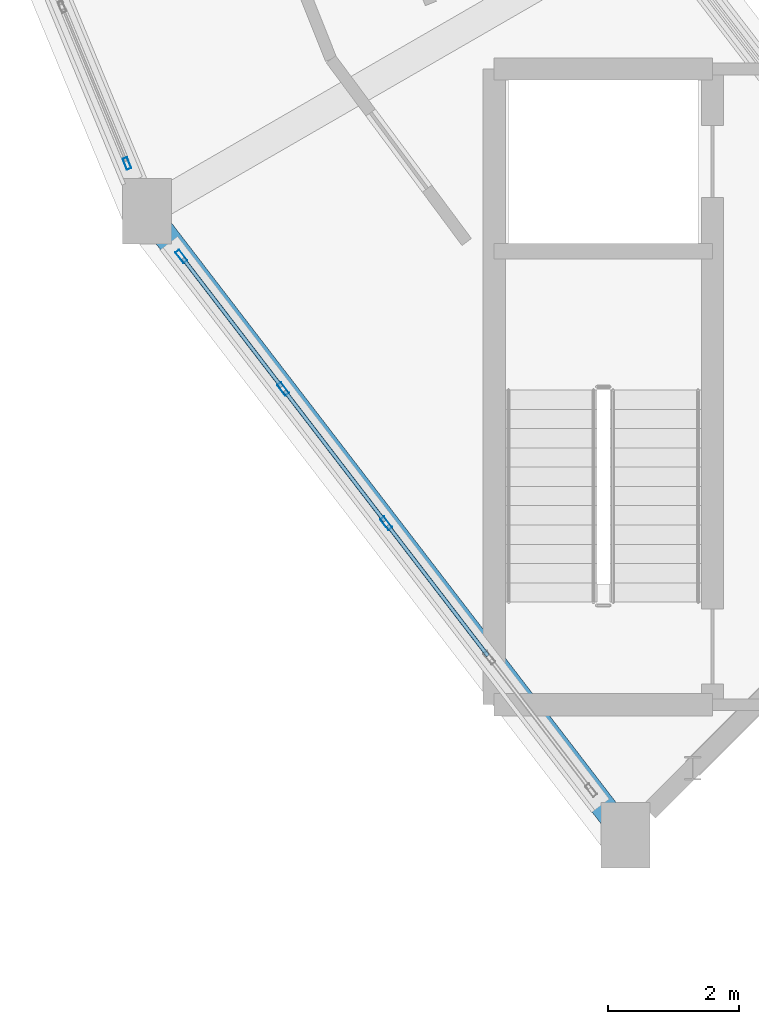
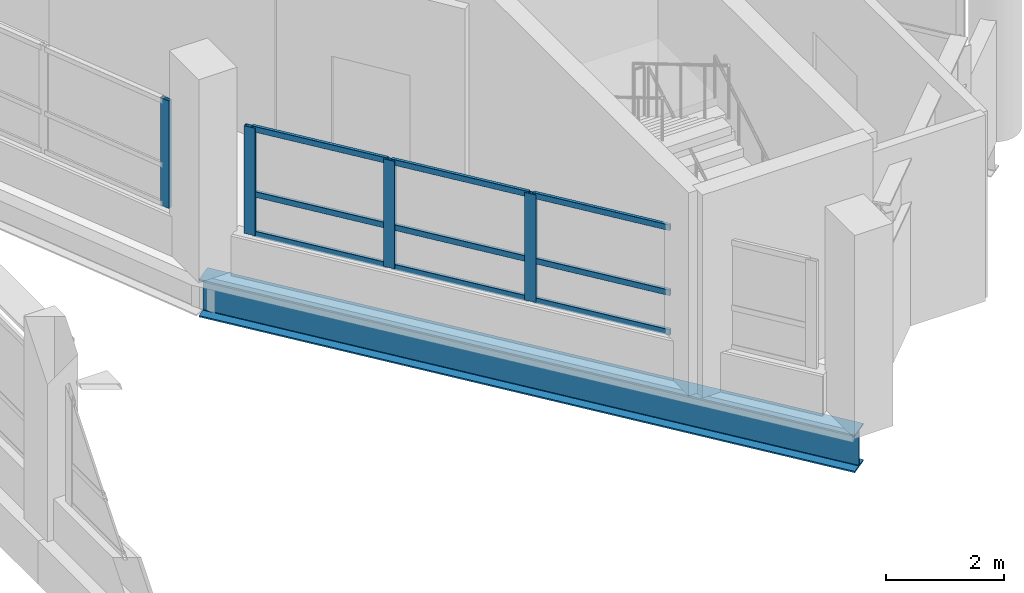
# One storey, part 30 of 128: 13 members, 1 beam, 2 elements without a shape of their own.
"""IFC4 building model written with IfcOpenShell, lengths in metres."""

from ifc_helpers import new_model, si_unit, direction, frame, origin, origin_2d, place, context, subcontext, project, spatial, hollow_rectangle, i_section, extrude, material, layer, layer_set, material_profile, profile_set, type_object, element, aggregate, save


model = new_model("IFC4")

# Units and contexts
model_context = context("Model", 3, precision=1e-05, world=origin(), true_north=direction((0.0, 1.0)))
body_context = subcontext(model_context, "Body", "Model", "MODEL_VIEW")
ifc_project = project(units=[si_unit("LENGTHUNIT", "METRE"), si_unit("AREAUNIT", "SQUARE_METRE"), si_unit("VOLUMEUNIT", "CUBIC_METRE"), si_unit("PLANEANGLEUNIT", "RADIAN"), si_unit("MASSUNIT", "GRAM", prefix="KILO")], contexts=[model_context])

# Site, building, storey
site_placement = place(None, origin())
site = spatial("IfcSite", under=ifc_project, at=site_placement, CompositionType="ELEMENT")
building_placement = place(site_placement, origin())
building = spatial("IfcBuilding", under=site, at=building_placement, Name="Vespera Passage Community Centre", CompositionType="ELEMENT")
storey_placement = place(building_placement, frame((0.0, 0.0, 4.5)))
storey = spatial("IfcBuildingStorey", under=building, at=storey_placement, Name="L01", CompositionType="ELEMENT", Elevation=4.5)

# Beam
ifc_material_1 = material(Name="Steel ASTM A992 Grade 50", Category="steel")
ifc_material_profile_1 = material_profile(ifc_material_1, i_section(OverallWidth=0.382080078125, OverallDepth=0.779296875, WebThickness=0.01806640625, FlangeThickness=0.030029296875, FilletRadius=0.0166015625, at=origin_2d()), Name="W30X191")
ifc_profile_set_1 = profile_set([ifc_material_profile_1], Name="Steel ASTM A992 Grade 50")
beam_type = type_object("IfcBeamType", Name="BM-SP-W30X191E", PredefinedType="SPANDREL", material=ifc_profile_set_1)
beam_placement = place(storey_placement, frame((38.076171875, 42.449951171875, -0.629638671875), z_axis=(0.608763261066, -0.793351934501, 0.0), x_axis=(0.793351934501, 0.608763261066, 0.0)))
element("IfcBeam", 1, at=beam_placement, inside=storey, type_object=beam_type, Name="V4 L01 Outer Spandrel 14", PredefinedType="SPANDREL", context=body_context, shape_type="SweptSolid", body=[
    extrude(i_section(OverallWidth=0.382080078125, OverallDepth=0.779296875, WebThickness=0.01806640625, FlangeThickness=0.030029296875, FilletRadius=0.0166015625, at=origin_2d()), origin(), (0.0, 0.0, 1.0), 12.034423828125),
])

# Curtain wall, member
ifc_material_2 = material(Name="Anodized aluminium 6063-T6", Category="aluminium")
ifc_layer_1 = layer(ifc_material_2, 0.159912109375)
ifc_layer_set_1 = layer_set([ifc_layer_1], Name="Anodized aluminium 6063-T6")
curtain_wall_type_1 = type_object("IfcCurtainWallType", Name="CW-20E", PredefinedType="NOTDEFINED", material=ifc_layer_set_1)
curtain_wall_1_placement = place(storey_placement, origin())
curtain_wall_1 = element("IfcCurtainWall", 2, at=curtain_wall_1_placement, inside=storey, type_object=curtain_wall_type_1, Name="V4 L01 Outer Ribbon Curtain Wall 13", PredefinedType="NOTDEFINED")
ifc_material_3 = material(Name="Anodized aluminium 6063-T6", Category="aluminium")
ifc_material_profile_2 = material_profile(ifc_material_3, hollow_rectangle(XDim=0.074951171875, YDim=0.179931640625, WallThickness=0.0048828125, InnerFilletRadius=0.00244140625, OuterFilletRadius=0.0048828125, at=origin_2d()), Name="ALU180X75X5")
ifc_profile_set_2 = profile_set([ifc_material_profile_2], Name="Anodized aluminium 6063-T6")
member_type_1 = type_object("IfcMemberType", Name="MB-CWM-180E", PredefinedType="MULLION", material=ifc_profile_set_2)
member_1_placement = place(storey_placement, frame((37.7724609375, 43.183349609375, 0.820068359375), z_axis=(0.0, 0.0, 1.0), x_axis=(-0.923881309405, -0.382679142535, 0.0)))
member_1 = element("IfcMember", 3, at=member_1_placement, type_object=member_type_1, Name="CW-20E mullion 1", PredefinedType="MULLION", context=body_context, shape_type="SweptSolid", body=[
    extrude(hollow_rectangle(XDim=0.074951171875, YDim=0.179931640625, WallThickness=0.0048828125, InnerFilletRadius=0.00244140625, OuterFilletRadius=0.0048828125, at=origin_2d()), origin(), (0.0, 0.0, 1.0), 2.2255859375),
])
aggregate(curtain_wall_1, [member_1])

# Curtain wall, members
ifc_material_4 = material(Name="Anodized aluminium 6063-T6", Category="aluminium")
ifc_layer_2 = layer(ifc_material_4, 0.159912109375)
ifc_layer_set_2 = layer_set([ifc_layer_2], Name="Anodized aluminium 6063-T6")
curtain_wall_type_2 = type_object("IfcCurtainWallType", Name="CW-23E", PredefinedType="NOTDEFINED", material=ifc_layer_set_2)
curtain_wall_2_placement = place(storey_placement, origin())
curtain_wall_2 = element("IfcCurtainWall", 4, at=curtain_wall_2_placement, inside=storey, type_object=curtain_wall_type_2, Name="V4 L01 Outer Ribbon Curtain Wall 14", PredefinedType="NOTDEFINED")
ifc_material_5 = material(Name="Anodized aluminium 6063-T6", Category="aluminium")
ifc_material_profile_3 = material_profile(ifc_material_5, hollow_rectangle(XDim=0.074951171875, YDim=0.2099609375, WallThickness=0.0048828125, InnerFilletRadius=0.00244140625, OuterFilletRadius=0.0048828125, at=origin_2d()), Name="ALU210X75X5")
ifc_profile_set_3 = profile_set([ifc_material_profile_3], Name="Anodized aluminium 6063-T6")
member_type_2 = type_object("IfcMemberType", Name="MB-CWM-210E", PredefinedType="MULLION", material=ifc_profile_set_3)
member_2_placement = place(storey_placement, frame((41.7392578125, 37.67626953125, 0.820068359375), z_axis=(0.0, 0.0, 1.0), x_axis=(-0.793350257139, -0.608765447029, 0.0)))
member_2 = element("IfcMember", 5, at=member_2_placement, type_object=member_type_2, Name="CW-23E mullion 3", PredefinedType="MULLION", context=body_context, shape_type="SweptSolid", body=[
    extrude(hollow_rectangle(XDim=0.074951171875, YDim=0.2099609375, WallThickness=0.0048828125, InnerFilletRadius=0.00244140625, OuterFilletRadius=0.0048828125, at=origin_2d()), origin(), (0.0, 0.0, 1.0), 2.2255859375),
])
member_3_placement = place(storey_placement, frame((40.16064453125, 39.7333984375, 0.820068359375), z_axis=(0.0, 0.0, 1.0), x_axis=(-0.793350257139, -0.608765447029, 0.0)))
member_3 = element("IfcMember", 6, at=member_3_placement, type_object=member_type_2, Name="CW-23E mullion 4", PredefinedType="MULLION", context=body_context, shape_type="SweptSolid", body=[
    extrude(hollow_rectangle(XDim=0.074951171875, YDim=0.2099609375, WallThickness=0.0048828125, InnerFilletRadius=0.00244140625, OuterFilletRadius=0.0048828125, at=origin_2d()), origin(), (0.0, 0.0, 1.0), 2.2255859375),
])
member_4_placement = place(storey_placement, frame((38.60498046875, 41.760986328125, 0.820068359375), z_axis=(0.0, 0.0, 1.0), x_axis=(-0.793350257139, -0.608765447029, 0.0)))
member_4 = element("IfcMember", 7, at=member_4_placement, type_object=member_type_2, Name="CW-23E mullion 5", PredefinedType="MULLION", context=body_context, shape_type="SweptSolid", body=[
    extrude(hollow_rectangle(XDim=0.074951171875, YDim=0.2099609375, WallThickness=0.0048828125, InnerFilletRadius=0.00244140625, OuterFilletRadius=0.0048828125, at=origin_2d()), origin(), (0.0, 0.0, 1.0), 2.2255859375),
])
ifc_material_6 = material(Name="Anodized aluminium 6063-T6", Category="aluminium")
ifc_material_profile_4 = material_profile(ifc_material_6, hollow_rectangle(XDim=0.06005859375, YDim=0.1201171875, WallThickness=0.00390625, InnerFilletRadius=0.001953125, OuterFilletRadius=0.00390625, at=origin_2d()), Name="ALU120X60X4")
ifc_profile_set_4 = profile_set([ifc_material_profile_4], Name="Anodized aluminium 6063-T6")
member_type_3 = type_object("IfcMemberType", Name="MB-CWT-120E", PredefinedType="USERDEFINED", material=ifc_profile_set_4)
member_5_placement = place(storey_placement, frame((43.295166015625, 35.648681640625, 0.85009765625), z_axis=(-0.608759186888, 0.793355060726, 0.0), x_axis=(-0.793355060726, -0.608759186888, 0.0)))
member_5 = element("IfcMember", 8, at=member_5_placement, type_object=member_type_3, Name="CW-23E transom 2.1", ObjectType="TRANSOM", PredefinedType="USERDEFINED", context=body_context, shape_type="SweptSolid", body=[
    extrude(hollow_rectangle(XDim=0.06005859375, YDim=0.1201171875, WallThickness=0.00390625, InnerFilletRadius=0.001953125, OuterFilletRadius=0.00390625, at=origin_2d()), origin(), (0.0, 0.0, 1.0), 2.51806640625),
])
member_6_placement = place(storey_placement, frame((43.295166015625, 35.648681640625, 1.669921875), z_axis=(-0.608759186888, 0.793355060726, 0.0), x_axis=(-0.793355060726, -0.608759186888, 0.0)))
member_6 = element("IfcMember", 9, at=member_6_placement, type_object=member_type_3, Name="CW-23E transom 2.2", ObjectType="TRANSOM", PredefinedType="USERDEFINED", context=body_context, shape_type="SweptSolid", body=[
    extrude(hollow_rectangle(XDim=0.06005859375, YDim=0.1201171875, WallThickness=0.00390625, InnerFilletRadius=0.001953125, OuterFilletRadius=0.00390625, at=origin_2d()), origin(), (0.0, 0.0, 1.0), 2.51806640625),
])
member_7_placement = place(storey_placement, frame((43.295166015625, 35.648681640625, 3.015625), z_axis=(-0.608759186888, 0.793355060726, 0.0), x_axis=(-0.793355060726, -0.608759186888, 0.0)))
member_7 = element("IfcMember", 10, at=member_7_placement, type_object=member_type_3, Name="CW-23E transom 2.3", ObjectType="TRANSOM", PredefinedType="USERDEFINED", context=body_context, shape_type="SweptSolid", body=[
    extrude(hollow_rectangle(XDim=0.06005859375, YDim=0.1201171875, WallThickness=0.00390625, InnerFilletRadius=0.001953125, OuterFilletRadius=0.00390625, at=origin_2d()), origin(), (0.0, 0.0, 1.0), 2.51806640625),
])
member_8_placement = place(storey_placement, frame((41.716552734375, 37.7060546875, 0.85009765625), z_axis=(-0.608806013392, 0.7933191275, 0.0), x_axis=(-0.7933191275, -0.608806013392, 0.0)))
member_8 = element("IfcMember", 11, at=member_8_placement, type_object=member_type_3, Name="CW-23E transom 3.1", ObjectType="TRANSOM", PredefinedType="USERDEFINED", context=body_context, shape_type="SweptSolid", body=[
    extrude(hollow_rectangle(XDim=0.06005859375, YDim=0.1201171875, WallThickness=0.00390625, InnerFilletRadius=0.001953125, OuterFilletRadius=0.00390625, at=origin_2d()), origin(), (0.0, 0.0, 1.0), 2.51806640625),
])
member_9_placement = place(storey_placement, frame((41.716552734375, 37.7060546875, 1.669921875), z_axis=(-0.608806013392, 0.7933191275, 0.0), x_axis=(-0.7933191275, -0.608806013392, 0.0)))
member_9 = element("IfcMember", 12, at=member_9_placement, type_object=member_type_3, Name="CW-23E transom 3.2", ObjectType="TRANSOM", PredefinedType="USERDEFINED", context=body_context, shape_type="SweptSolid", body=[
    extrude(hollow_rectangle(XDim=0.06005859375, YDim=0.1201171875, WallThickness=0.00390625, InnerFilletRadius=0.001953125, OuterFilletRadius=0.00390625, at=origin_2d()), origin(), (0.0, 0.0, 1.0), 2.51806640625),
])
member_10_placement = place(storey_placement, frame((41.716552734375, 37.7060546875, 3.015625), z_axis=(-0.608806013392, 0.7933191275, 0.0), x_axis=(-0.7933191275, -0.608806013392, 0.0)))
member_10 = element("IfcMember", 13, at=member_10_placement, type_object=member_type_3, Name="CW-23E transom 3.3", ObjectType="TRANSOM", PredefinedType="USERDEFINED", context=body_context, shape_type="SweptSolid", body=[
    extrude(hollow_rectangle(XDim=0.06005859375, YDim=0.1201171875, WallThickness=0.00390625, InnerFilletRadius=0.001953125, OuterFilletRadius=0.00390625, at=origin_2d()), origin(), (0.0, 0.0, 1.0), 2.51806640625),
])
member_11_placement = place(storey_placement, frame((40.137939453125, 39.76318359375, 0.85009765625), z_axis=(-0.608797179099, 0.793325907002, 0.0), x_axis=(-0.793325907002, -0.608797179099, 0.0)))
member_11 = element("IfcMember", 14, at=member_11_placement, type_object=member_type_3, Name="CW-23E transom 4.1", ObjectType="TRANSOM", PredefinedType="USERDEFINED", context=body_context, shape_type="SweptSolid", body=[
    extrude(hollow_rectangle(XDim=0.06005859375, YDim=0.1201171875, WallThickness=0.00390625, InnerFilletRadius=0.001953125, OuterFilletRadius=0.00390625, at=origin_2d()), origin(), (0.0, 0.0, 1.0), 2.480712890625),
])
member_12_placement = place(storey_placement, frame((40.137939453125, 39.76318359375, 1.669921875), z_axis=(-0.608797179099, 0.793325907002, 0.0), x_axis=(-0.793325907002, -0.608797179099, 0.0)))
member_12 = element("IfcMember", 15, at=member_12_placement, type_object=member_type_3, Name="CW-23E transom 4.2", ObjectType="TRANSOM", PredefinedType="USERDEFINED", context=body_context, shape_type="SweptSolid", body=[
    extrude(hollow_rectangle(XDim=0.06005859375, YDim=0.1201171875, WallThickness=0.00390625, InnerFilletRadius=0.001953125, OuterFilletRadius=0.00390625, at=origin_2d()), origin(), (0.0, 0.0, 1.0), 2.480712890625),
])
member_13_placement = place(storey_placement, frame((40.137939453125, 39.76318359375, 3.015625), z_axis=(-0.608797179099, 0.793325907002, 0.0), x_axis=(-0.793325907002, -0.608797179099, 0.0)))
member_13 = element("IfcMember", 16, at=member_13_placement, type_object=member_type_3, Name="CW-23E transom 4.3", ObjectType="TRANSOM", PredefinedType="USERDEFINED", context=body_context, shape_type="SweptSolid", body=[
    extrude(hollow_rectangle(XDim=0.06005859375, YDim=0.1201171875, WallThickness=0.00390625, InnerFilletRadius=0.001953125, OuterFilletRadius=0.00390625, at=origin_2d()), origin(), (0.0, 0.0, 1.0), 2.480712890625),
])
aggregate(curtain_wall_2, [member_2, member_3, member_4, member_5, member_6, member_7, member_8, member_9, member_10, member_11, member_12, member_13])

save(model, "model.ifc")
